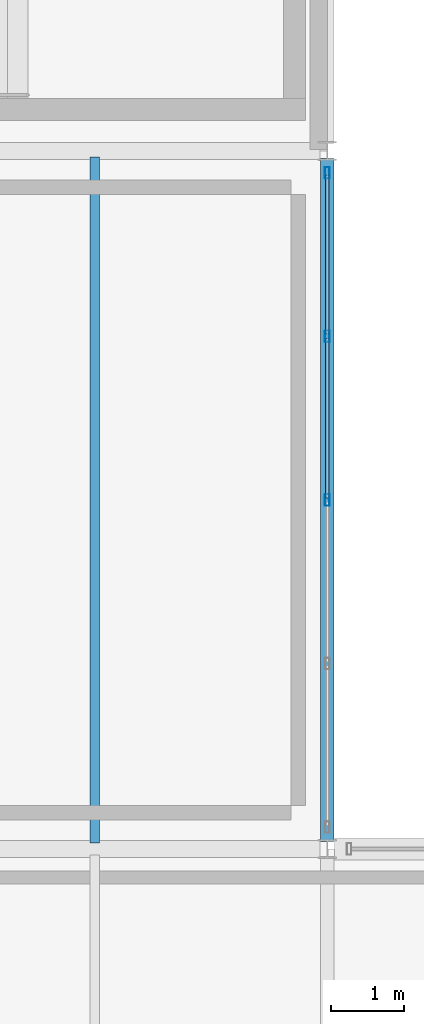
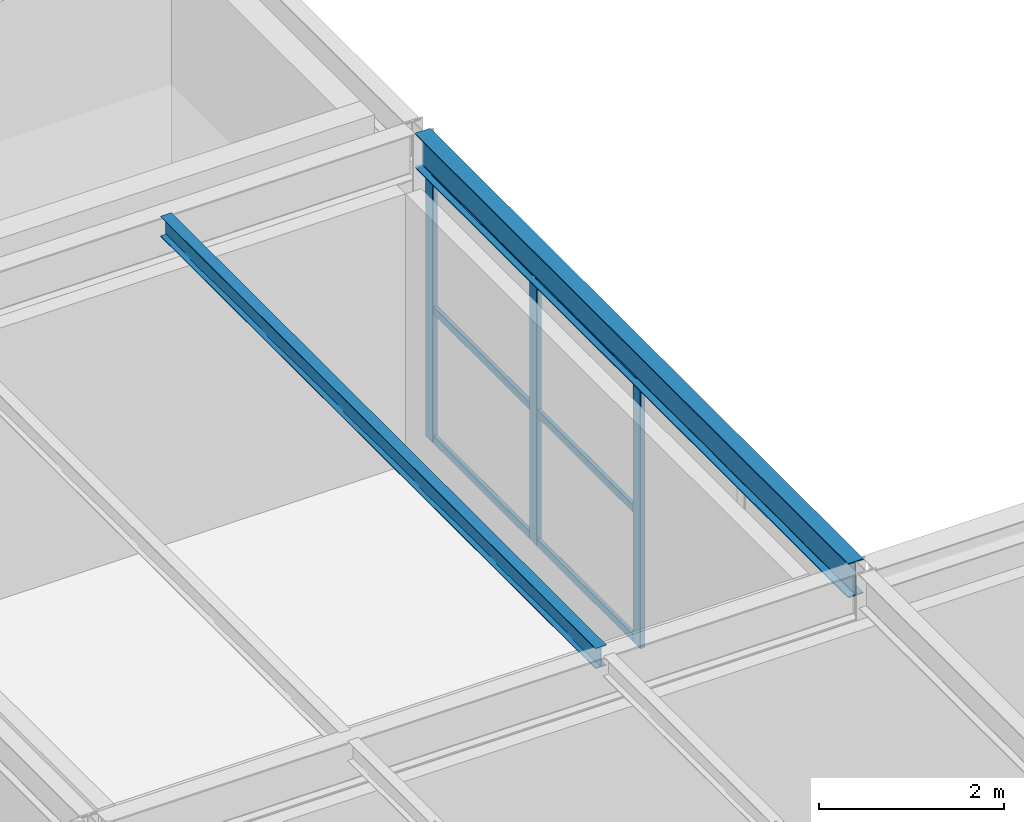
# One storey, part 17 of 39: 9 members, 2 beams, 1 element without a shape of its own.
"""IFC4 building model written with IfcOpenShell, lengths in metres."""

from ifc_helpers import new_model, si_unit, direction, frame, origin, origin_2d, place, context, subcontext, project, spatial, hollow_rectangle, i_section, extrude, material, material_profile, profile_set, type_object, element, aggregate, save


model = new_model("IFC4")

# Units and contexts
model_context = context("Model", 3, precision=1e-05, world=origin(), true_north=direction((0.0, 1.0)))
body_context = subcontext(model_context, "Body", "Model", "MODEL_VIEW")
ifc_project = project(units=[si_unit("LENGTHUNIT", "METRE"), si_unit("AREAUNIT", "SQUARE_METRE"), si_unit("VOLUMEUNIT", "CUBIC_METRE"), si_unit("PLANEANGLEUNIT", "RADIAN"), si_unit("MASSUNIT", "GRAM", prefix="KILO")], contexts=[model_context])

# Site, building, storey
site_placement = place(None, origin())
site = spatial("IfcSite", under=ifc_project, at=site_placement, CompositionType="ELEMENT")
building_placement = place(site_placement, origin())
building = spatial("IfcBuilding", under=site, at=building_placement, Name="Coralgate Yard Interchange", CompositionType="ELEMENT")
storey_placement = place(building_placement, frame((0.0, 0.0, 18.89990234375)))
storey = spatial("IfcBuildingStorey", under=building, at=storey_placement, Name="L04", CompositionType="ELEMENT", Elevation=18.89990234375)

# Beams
ifc_material_1 = material(Name="Structural steel S355J2", Category="steel")
ifc_material_profile_1 = material_profile(ifc_material_1, i_section(OverallWidth=0.1904296875, OverallDepth=0.45703125, WebThickness=0.009033203125, FlangeThickness=0.014404296875, FilletRadius=0.01025390625, at=origin_2d()), Name="UB 457x191x74")
ifc_profile_set_1 = profile_set([ifc_material_profile_1], Name="Structural steel S355J2")
beam_type_1 = type_object("IfcBeamType", Name="BM-SB-2", PredefinedType="BEAM", material=ifc_profile_set_1)
beam_1_placement = place(storey_placement, frame((19.199951171875, 19.30322265625, 3.7216796875), z_axis=(0.0, 1.0, 0.0), x_axis=(-1.0, 0.0, 0.0)))
element("IfcBeam", 1, at=beam_1_placement, inside=storey, type_object=beam_type_1, Name="L04 primary grid girder X2 Y2-3", PredefinedType="BEAM", context=body_context, shape_type="SweptSolid", body=[
    extrude(i_section(OverallWidth=0.1904296875, OverallDepth=0.45703125, WebThickness=0.009033203125, FlangeThickness=0.014404296875, FilletRadius=0.01025390625, at=origin_2d()), origin(), (0.0, 0.0, 1.0), 9.393310546875),
])
ifc_material_profile_2 = material_profile(ifc_material_1, i_section(OverallWidth=0.135009765625, OverallDepth=0.27001953125, WebThickness=0.006591796875, FlangeThickness=0.01025390625, FilletRadius=0.014892578125, at=origin_2d()), Name="IPE 270")
ifc_profile_set_2 = profile_set([ifc_material_profile_2], Name="Structural steel S355J2")
beam_type_2 = type_object("IfcBeamType", Name="BM-SJ-3", PredefinedType="JOIST", material=ifc_profile_set_2)
beam_2_placement = place(storey_placement, frame((16.0, 19.2841796875, 3.815185546875), z_axis=(0.0, 1.0, 0.0), x_axis=(-1.0, 0.0, 0.0)))
element("IfcBeam", 2, at=beam_2_placement, inside=storey, type_object=beam_type_2, Name="L04 composite floor joist 1-2-2", PredefinedType="JOIST", context=body_context, shape_type="SweptSolid", body=[
    extrude(i_section(OverallWidth=0.135009765625, OverallDepth=0.27001953125, WebThickness=0.006591796875, FlangeThickness=0.01025390625, FilletRadius=0.014892578125, at=origin_2d()), origin(), (0.0, 0.0, 1.0), 9.431640625),
])

# Curtain wall, members
ifc_material_2 = material(Name="Anodised coastal aluminium and solar-control low-E glass", Category="aluminium")
curtain_wall_type = type_object("IfcCurtainWallType", Name="CW-CW-L04-A", PredefinedType="NOTDEFINED", material=ifc_material_2)
curtain_wall_placement = place(storey_placement, origin())
curtain_wall = element("IfcCurtainWall", 3, at=curtain_wall_placement, inside=storey, type_object=curtain_wall_type, Name="L04 unitised curtain wall CW-L04-E-01-02", PredefinedType="NOTDEFINED")
ifc_material_3 = material(Name="Anodised coastal aluminium 6063-T6", Category="aluminium")
ifc_material_profile_3 = material_profile(ifc_material_3, hollow_rectangle(XDim=0.06494140625, YDim=0.159912109375, WallThickness=0.00390625, InnerFilletRadius=0.00390625, OuterFilletRadius=0.008056640625, at=origin_2d()), Name="ALU 65x160x4")
ifc_profile_set_3 = profile_set([ifc_material_profile_3], Name="Anodised coastal aluminium 6063-T6")
member_type_1 = type_object("IfcMemberType", Name="MB-MUL-160", PredefinedType="MULLION", material=ifc_profile_set_3)
member_1_placement = place(storey_placement, frame((19.199951171875, 28.5, 0.0), z_axis=(0.0, 0.0, 1.0), x_axis=(1.0, 0.0, 0.0)))
member_1 = element("IfcMember", 4, at=member_1_placement, type_object=member_type_1, Name="CW-L04-E-01-02 vertical mullion 1", PredefinedType="MULLION", context=body_context, shape_type="SweptSolid", body=[
    extrude(hollow_rectangle(XDim=0.06494140625, YDim=0.159912109375, WallThickness=0.00390625, InnerFilletRadius=0.00390625, OuterFilletRadius=0.008056640625, at=origin_2d()), origin(), (0.0, 0.0, 1.0), 3.4931640625),
])
member_2_placement = place(storey_placement, frame((19.199951171875, 26.25, 0.0), z_axis=(0.0, 0.0, 1.0), x_axis=(1.0, 0.0, 0.0)))
member_2 = element("IfcMember", 5, at=member_2_placement, type_object=member_type_1, Name="CW-L04-E-01-02 vertical mullion 2", PredefinedType="MULLION", context=body_context, shape_type="SweptSolid", body=[
    extrude(hollow_rectangle(XDim=0.06494140625, YDim=0.159912109375, WallThickness=0.00390625, InnerFilletRadius=0.00390625, OuterFilletRadius=0.008056640625, at=origin_2d()), origin(), (0.0, 0.0, 1.0), 3.4931640625),
])
member_3_placement = place(storey_placement, frame((19.199951171875, 24.0, 0.0), z_axis=(0.0, 0.0, 1.0), x_axis=(1.0, 0.0, 0.0)))
member_3 = element("IfcMember", 6, at=member_3_placement, type_object=member_type_1, Name="CW-L04-E-01-02 vertical mullion 3", PredefinedType="MULLION", context=body_context, shape_type="SweptSolid", body=[
    extrude(hollow_rectangle(XDim=0.06494140625, YDim=0.159912109375, WallThickness=0.00390625, InnerFilletRadius=0.00390625, OuterFilletRadius=0.008056640625, at=origin_2d()), origin(), (0.0, 0.0, 1.0), 3.4931640625),
])
ifc_material_profile_4 = material_profile(ifc_material_3, hollow_rectangle(XDim=0.050048828125, YDim=0.10009765625, WallThickness=0.0029296875, InnerFilletRadius=0.0029296875, OuterFilletRadius=0.006103515625, at=origin_2d()), Name="ALU 50x100x3")
ifc_profile_set_4 = profile_set([ifc_material_profile_4], Name="Anodised coastal aluminium 6063-T6")
member_type_2 = type_object("IfcMemberType", Name="MB-TRN-100", PredefinedType="USERDEFINED", material=ifc_profile_set_4)
member_4_placement = place(storey_placement, frame((19.199951171875, 28.469970703125, 0.03515625), z_axis=(0.0, -1.0, 0.0), x_axis=(1.0, 0.0, 0.0)))
member_4 = element("IfcMember", 7, at=member_4_placement, type_object=member_type_2, Name="CW-L04-E-01-02 horizontal transom 1-1", ObjectType="TRANSOM", PredefinedType="USERDEFINED", context=body_context, shape_type="SweptSolid", body=[
    extrude(hollow_rectangle(XDim=0.050048828125, YDim=0.10009765625, WallThickness=0.0029296875, InnerFilletRadius=0.0029296875, OuterFilletRadius=0.006103515625, at=origin_2d()), origin(), (0.0, 0.0, 1.0), 2.18994140625),
])
member_5_placement = place(storey_placement, frame((19.199951171875, 28.469970703125, 1.74658203125), z_axis=(0.0, -1.0, 0.0), x_axis=(1.0, 0.0, 0.0)))
member_5 = element("IfcMember", 8, at=member_5_placement, type_object=member_type_2, Name="CW-L04-E-01-02 horizontal transom 1-2", ObjectType="TRANSOM", PredefinedType="USERDEFINED", context=body_context, shape_type="SweptSolid", body=[
    extrude(hollow_rectangle(XDim=0.050048828125, YDim=0.10009765625, WallThickness=0.0029296875, InnerFilletRadius=0.0029296875, OuterFilletRadius=0.006103515625, at=origin_2d()), origin(), (0.0, 0.0, 1.0), 2.18994140625),
])
member_6_placement = place(storey_placement, frame((19.199951171875, 28.469970703125, 3.4580078125), z_axis=(0.0, -1.0, 0.0), x_axis=(1.0, 0.0, 0.0)))
member_6 = element("IfcMember", 9, at=member_6_placement, type_object=member_type_2, Name="CW-L04-E-01-02 horizontal transom 1-3", ObjectType="TRANSOM", PredefinedType="USERDEFINED", context=body_context, shape_type="SweptSolid", body=[
    extrude(hollow_rectangle(XDim=0.050048828125, YDim=0.10009765625, WallThickness=0.0029296875, InnerFilletRadius=0.0029296875, OuterFilletRadius=0.006103515625, at=origin_2d()), origin(), (0.0, 0.0, 1.0), 2.18994140625),
])
member_7_placement = place(storey_placement, frame((19.199951171875, 26.219970703125, 0.03515625), z_axis=(0.0, -1.0, 0.0), x_axis=(1.0, 0.0, 0.0)))
member_7 = element("IfcMember", 10, at=member_7_placement, type_object=member_type_2, Name="CW-L04-E-01-02 horizontal transom 2-1", ObjectType="TRANSOM", PredefinedType="USERDEFINED", context=body_context, shape_type="SweptSolid", body=[
    extrude(hollow_rectangle(XDim=0.050048828125, YDim=0.10009765625, WallThickness=0.0029296875, InnerFilletRadius=0.0029296875, OuterFilletRadius=0.006103515625, at=origin_2d()), origin(), (0.0, 0.0, 1.0), 2.18994140625),
])
member_8_placement = place(storey_placement, frame((19.199951171875, 26.219970703125, 1.74658203125), z_axis=(0.0, -1.0, 0.0), x_axis=(1.0, 0.0, 0.0)))
member_8 = element("IfcMember", 11, at=member_8_placement, type_object=member_type_2, Name="CW-L04-E-01-02 horizontal transom 2-2", ObjectType="TRANSOM", PredefinedType="USERDEFINED", context=body_context, shape_type="SweptSolid", body=[
    extrude(hollow_rectangle(XDim=0.050048828125, YDim=0.10009765625, WallThickness=0.0029296875, InnerFilletRadius=0.0029296875, OuterFilletRadius=0.006103515625, at=origin_2d()), origin(), (0.0, 0.0, 1.0), 2.18994140625),
])
member_9_placement = place(storey_placement, frame((19.199951171875, 26.219970703125, 3.4580078125), z_axis=(0.0, -1.0, 0.0), x_axis=(1.0, 0.0, 0.0)))
member_9 = element("IfcMember", 12, at=member_9_placement, type_object=member_type_2, Name="CW-L04-E-01-02 horizontal transom 2-3", ObjectType="TRANSOM", PredefinedType="USERDEFINED", context=body_context, shape_type="SweptSolid", body=[
    extrude(hollow_rectangle(XDim=0.050048828125, YDim=0.10009765625, WallThickness=0.0029296875, InnerFilletRadius=0.0029296875, OuterFilletRadius=0.006103515625, at=origin_2d()), origin(), (0.0, 0.0, 1.0), 2.18994140625),
])
aggregate(curtain_wall, [member_1, member_2, member_3, member_4, member_5, member_6, member_7, member_8, member_9])

save(model, "model.ifc")
